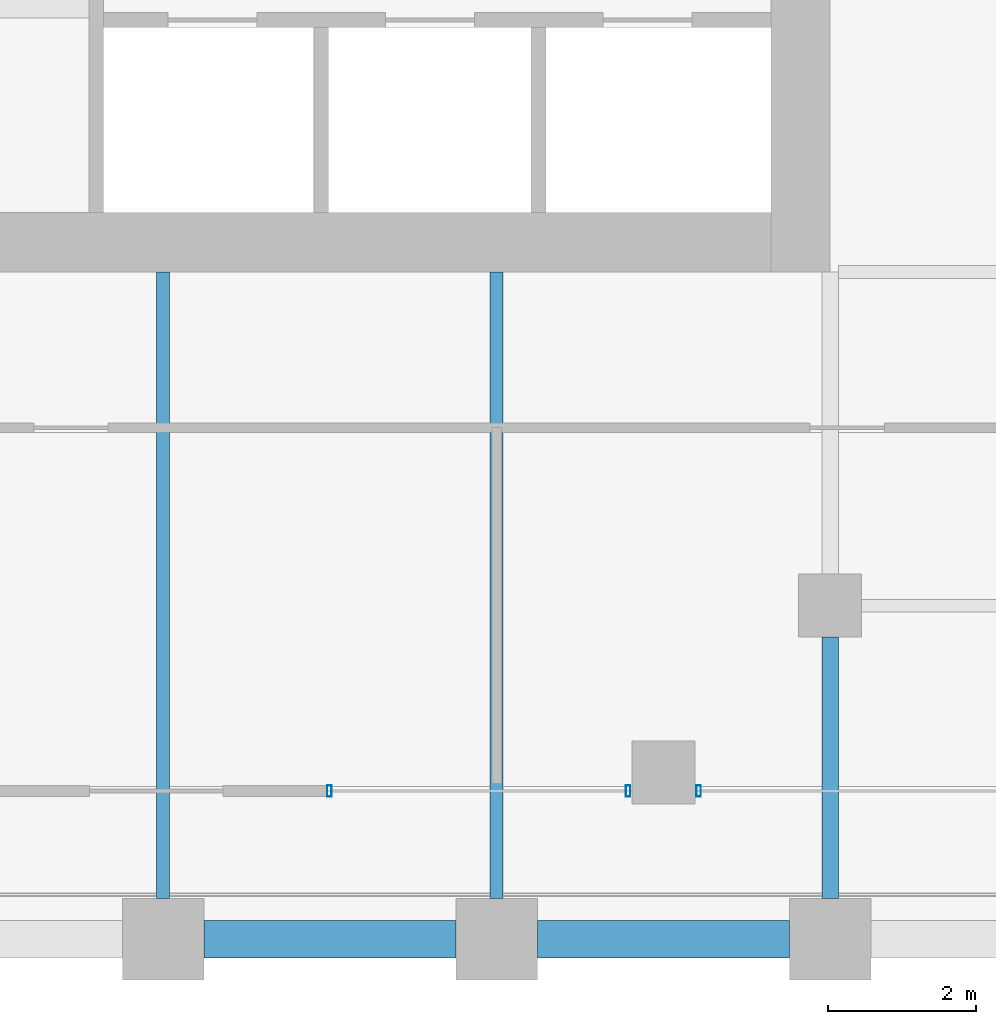
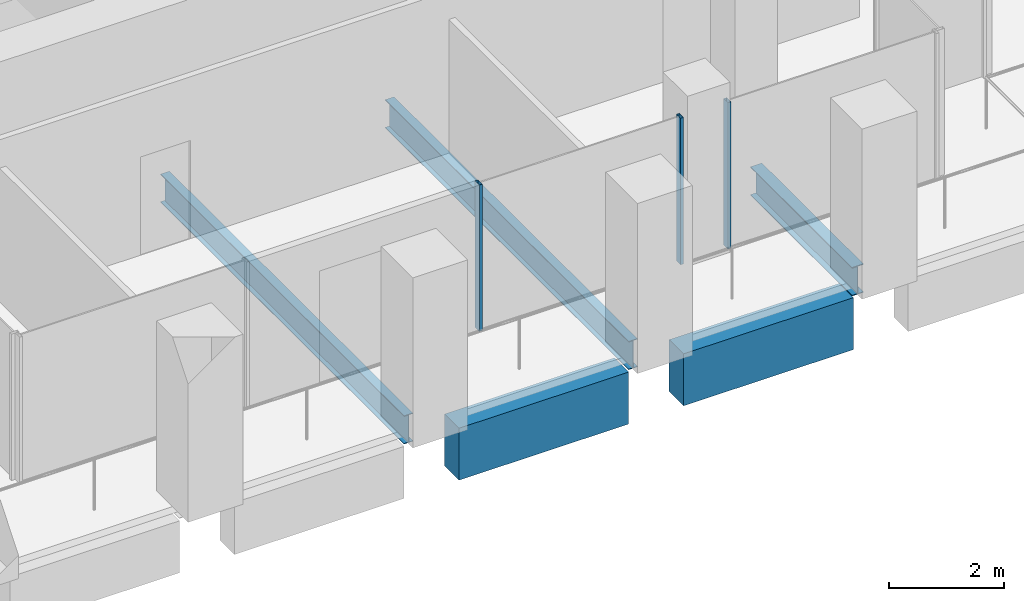
# One storey, part 37 of 56: 5 beams, 3 members, 2 elements without a shape of their own.
"""IFC4 building model written with IfcOpenShell, lengths in metres."""

from ifc_helpers import new_model, si_unit, direction, frame, origin, origin_2d, place, context, subcontext, project, spatial, rectangle, hollow_rectangle, i_section, extrude, material, material_profile, profile_set, type_object, element, aggregate, save


model = new_model("IFC4")

# Units and contexts
model_context = context("Model", 3, precision=1e-05, world=origin(), true_north=direction((0.0, 1.0)))
body_context = subcontext(model_context, "Body", "Model", "MODEL_VIEW")
ifc_project = project(units=[si_unit("LENGTHUNIT", "METRE"), si_unit("AREAUNIT", "SQUARE_METRE"), si_unit("VOLUMEUNIT", "CUBIC_METRE"), si_unit("PLANEANGLEUNIT", "RADIAN"), si_unit("MASSUNIT", "GRAM", prefix="KILO")], contexts=[model_context])

# Site, building, storey
site_placement = place(None, origin())
site = spatial("IfcSite", under=ifc_project, at=site_placement, CompositionType="ELEMENT")
building_placement = place(site_placement, origin())
building = spatial("IfcBuilding", under=site, at=building_placement, Name="Altepetl Exchange Towers", CompositionType="ELEMENT")
storey_placement = place(building_placement, frame((0.0, 0.0, 76.199951171875)))
storey = spatial("IfcBuildingStorey", under=building, at=storey_placement, Name="L18", CompositionType="ELEMENT", Elevation=76.199951171875)

# Beams
ifc_material_1 = material(Name="Steel S355", Category="steel")
ifc_material_profile_1 = material_profile(ifc_material_1, i_section(OverallWidth=0.177978515625, OverallDepth=0.59912109375, WebThickness=0.010009765625, FlangeThickness=0.0126953125, at=origin_2d()), Name="W24X55")
ifc_profile_set_1 = profile_set([ifc_material_profile_1], Name="Steel S355")
beam_type_1 = type_object("IfcBeamType", Name="Floor beam W24X55", PredefinedType="BEAM", material=ifc_profile_set_1)
for number, where, z_axis, x_axis, name in (
    (1, (108.0, 27.550048828125, -0.449462890625), (0.0, 1.0, 0.0), (-1.0, 0.0, 0.0), "bm:B:L18:010"),
    (2, (112.5, 27.550048828125, -0.449462890625), (0.0, 1.0, 0.0), (-1.0, 0.0, 0.0), "bm:B:L18:011"),
):
    element("IfcBeam", number, at=place(storey_placement, frame(where, z_axis=z_axis, x_axis=x_axis)), inside=storey, type_object=beam_type_1, Name=name, PredefinedType="BEAM", context=body_context, shape_type="SweptSolid", body=[
        extrude(i_section(OverallWidth=0.177978515625, OverallDepth=0.59912109375, WebThickness=0.010009765625, FlangeThickness=0.0126953125, at=origin_2d()), origin(), (0.0, 0.0, 1.0), 8.449951171875),
    ])
ifc_material_profile_2 = material_profile(ifc_material_1, i_section(OverallWidth=0.22802734375, OverallDepth=0.60791015625, WebThickness=0.01123046875, FlangeThickness=0.017333984375, at=origin_2d()), Name="W24X76")
ifc_profile_set_2 = profile_set([ifc_material_profile_2], Name="Steel S355")
beam_type_2 = type_object("IfcBeamType", Name="Girder W24X76", PredefinedType="BEAM", material=ifc_profile_set_2)
beam_placement = place(storey_placement, frame((117.0, 31.074951171875, -0.453857421875), z_axis=(0.0, -1.0, 0.0), x_axis=(1.0, 0.0, 0.0)))
element("IfcBeam", 3, at=beam_placement, inside=storey, type_object=beam_type_2, Name="gd:B:L18:005", PredefinedType="BEAM", context=body_context, shape_type="SweptSolid", body=[
    extrude(i_section(OverallWidth=0.22802734375, OverallDepth=0.60791015625, WebThickness=0.01123046875, FlangeThickness=0.017333984375, at=origin_2d()), origin(), (0.0, 0.0, 1.0), 3.52490234375),
])

# Curtain wall, members
ifc_material_2 = material(Name="Aluminium 6063-T6 glazing", Category="aluminium")
curtain_wall_type = type_object("IfcCurtainWallType", Name="Loggia glazing system", PredefinedType="NOTDEFINED", material=ifc_material_2)
curtain_wall_1_placement = place(storey_placement, origin())
curtain_wall_1 = element("IfcCurtainWall", 4, at=curtain_wall_1_placement, inside=storey, type_object=curtain_wall_type, Name="CW1 run", PredefinedType="NOTDEFINED")
ifc_material_3 = material(Name="Aluminium 6063-T6", Category="aluminium")
ifc_material_profile_3 = material_profile(ifc_material_3, hollow_rectangle(XDim=0.06005859375, YDim=0.14990234375, WallThickness=0.0029296875, at=origin_2d()), Name="Mullion 60x150 aluminium")
ifc_profile_set_3 = profile_set([ifc_material_profile_3], Name="Aluminium 6063-T6")
member_type = type_object("IfcMemberType", Name="Mullion 60x150 aluminium", PredefinedType="MULLION", material=ifc_profile_set_3)
member_1_placement = place(storey_placement, frame((110.242431640625, 29.0, 0.0)))
member_1 = element("IfcMember", 5, at=member_1_placement, type_object=member_type, Name="MU1 mullion", PredefinedType="MULLION", context=body_context, shape_type="SweptSolid", body=[
    extrude(hollow_rectangle(XDim=0.06005859375, YDim=0.14990234375, WallThickness=0.0029296875, at=origin_2d()), origin(), (0.0, 0.0, 1.0), 3.10009765625),
])
member_2_placement = place(storey_placement, frame((114.27490234375, 29.0, 0.0)))
member_2 = element("IfcMember", 6, at=member_2_placement, type_object=member_type, Name="MU1 mullion", PredefinedType="MULLION", context=body_context, shape_type="SweptSolid", body=[
    extrude(hollow_rectangle(XDim=0.06005859375, YDim=0.14990234375, WallThickness=0.0029296875, at=origin_2d()), origin(), (0.0, 0.0, 1.0), 3.10009765625),
])
aggregate(curtain_wall_1, [member_1, member_2])

# Curtain wall, member
curtain_wall_2_placement = place(storey_placement, origin())
curtain_wall_2 = element("IfcCurtainWall", 7, at=curtain_wall_2_placement, inside=storey, type_object=curtain_wall_type, Name="CW1 run", PredefinedType="NOTDEFINED")
member_3_placement = place(storey_placement, frame((115.22509765625, 29.0, 0.0)))
member_3 = element("IfcMember", 8, at=member_3_placement, type_object=member_type, Name="MU1 mullion", PredefinedType="MULLION", context=body_context, shape_type="SweptSolid", body=[
    extrude(hollow_rectangle(XDim=0.06005859375, YDim=0.14990234375, WallThickness=0.0029296875, at=origin_2d()), origin(), (0.0, 0.0, 1.0), 3.10009765625),
])
aggregate(curtain_wall_2, [member_3])

# Beams
ifc_material_4 = material(Name="Concrete C50/60 precast with tezontle facing", Category="concrete")
ifc_material_profile_4 = material_profile(ifc_material_4, rectangle(XDim=0.5, YDim=1.10009765625, at=origin_2d()), Name="500 x 1100")
ifc_profile_set_4 = profile_set([ifc_material_profile_4], Name="Concrete C50/60 precast with tezontle facing")
beam_type_3 = type_object("IfcBeamType", Name="Spandrel beam 500x1100 tezontle", PredefinedType="SPANDREL", material=ifc_profile_set_4)
for number, where, z_axis, x_axis, name in (
    (9, (108.550048828125, 27.0, -0.699951171875), (1.0, 0.0, 0.0), (0.0, 1.0, 0.0), "sp:B:L18:002"),
    (10, (113.050048828125, 27.0, -0.699951171875), (1.0, 0.0, 0.0), (0.0, 1.0, 0.0), "sp:B:L18:003"),
):
    element("IfcBeam", number, at=place(storey_placement, frame(where, z_axis=z_axis, x_axis=x_axis)), inside=storey, type_object=beam_type_3, Name=name, PredefinedType="SPANDREL", context=body_context, shape_type="SweptSolid", body=[
        extrude(rectangle(XDim=0.5, YDim=1.10009765625, at=origin_2d()), origin(), (0.0, 0.0, 1.0), 3.39990234375),
    ])

save(model, "model.ifc")
